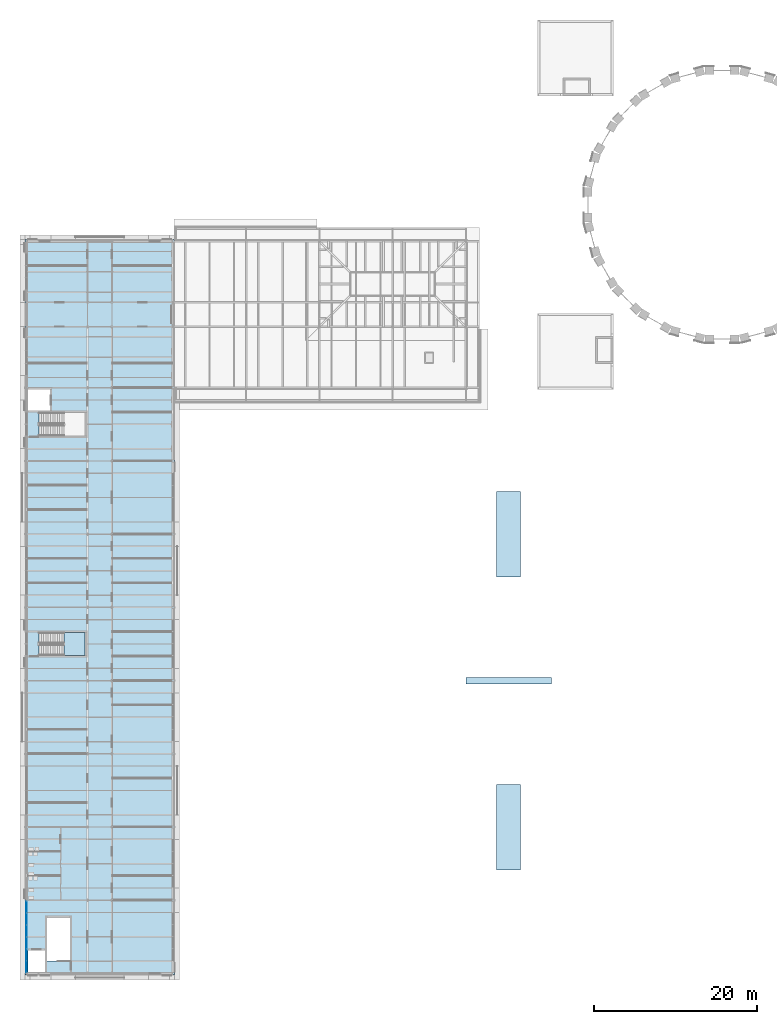
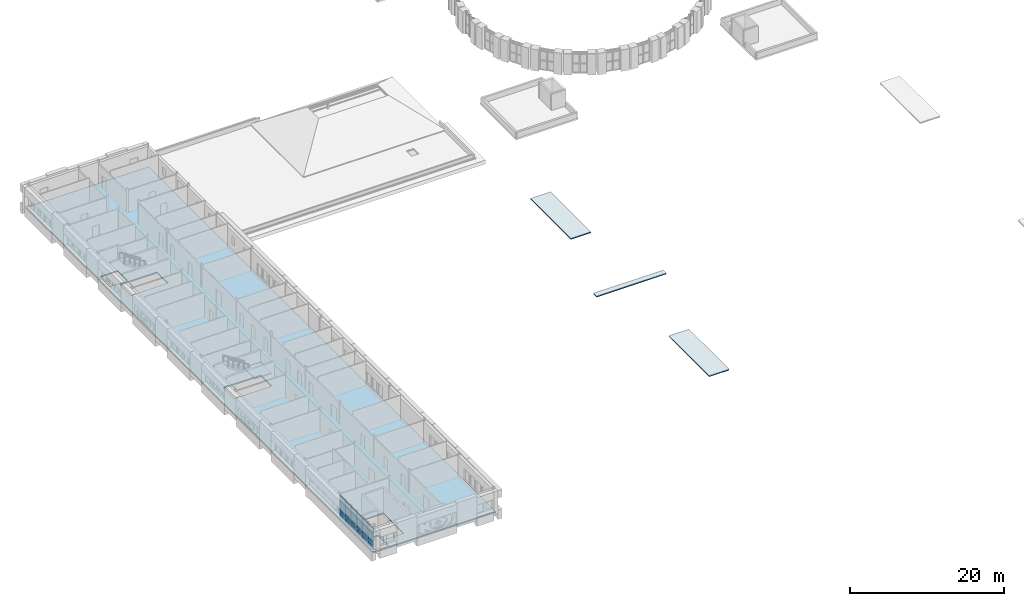
# One storey, part 18 of 42: 18 plates, 5 slabs, 2 elements without a shape of their own.
"""IFC4 building model written with IfcOpenShell, lengths in metres."""

from ifc_helpers import new_model, si_unit, direction, frame, origin, origin_2d, place, context, subcontext, project, spatial, polyline, rectangle, outline, extrude, material, layer, layer_set, type_object, element, aggregate, save


model = new_model("IFC4")

# Units and contexts
model_context = context("Model", 3, precision=1e-05, world=origin(), true_north=direction((0.0, 1.0)))
body_context = subcontext(model_context, "Body", "Model", "MODEL_VIEW")
ifc_project = project(units=[si_unit("LENGTHUNIT", "METRE"), si_unit("AREAUNIT", "SQUARE_METRE"), si_unit("VOLUMEUNIT", "CUBIC_METRE"), si_unit("PLANEANGLEUNIT", "RADIAN"), si_unit("MASSUNIT", "GRAM", prefix="KILO")], contexts=[model_context])

# Site, building, storey
site_placement = place(None, origin())
site = spatial("IfcSite", under=ifc_project, at=site_placement, CompositionType="ELEMENT")
building_placement = place(site_placement, origin())
building = spatial("IfcBuilding", under=site, at=building_placement, Name="Golden Quay Civic Hall", CompositionType="ELEMENT")
storey_placement = place(building_placement, frame((0.0, 0.0, 22.800048828125)))
storey = spatial("IfcBuildingStorey", under=building, at=storey_placement, Name="L05", CompositionType="ELEMENT", Elevation=22.800048828125)

# Slabs
ifc_material_1 = material(Name="Concrete C35/45", Category="concrete")
ifc_layer_1 = layer(ifc_material_1, 0.199951171875)
ifc_layer_set_1 = layer_set([ifc_layer_1], Name="Composite floor 200")
slab_type_1 = type_object("IfcSlabType", Name="Composite floor 200", PredefinedType="FLOOR", material=ifc_layer_set_1)
slab_1_placement = place(storey_placement, frame((0.0, 0.0, -0.199951171875)))
element("IfcSlab", 1, at=slab_1_placement, inside=storey, type_object=slab_type_1, Name="WO floor L05", PredefinedType="FLOOR", context=body_context, shape_type="SweptSolid", body=[
    extrude(outline(polyline([(-0.199951171875, -9.199951171875), (-0.199951171875, 81.199951171875), (18.199951171875, 81.199951171875), (18.199951171875, -9.199951171875), (-0.199951171875, -9.199951171875)]), holes=[polyline([(5.35009765625, -2.14990234375), (2.5, -2.14990234375), (2.5, -7.445068359375), (5.35009765625, -7.445068359375), (5.35009765625, -2.14990234375)]), polyline([(2.25, -8.800048828125), (2.25, -6.199951171875), (0.199951171875, -6.199951171875), (0.199951171875, -8.800048828125), (2.25, -8.800048828125)]), polyline([(1.554931640625, 57.074951171875), (7.175048828125, 57.074951171875), (7.175048828125, 59.925048828125), (1.554931640625, 59.925048828125), (1.554931640625, 57.074951171875)]), polyline([(0.199951171875, 62.77490234375), (0.199951171875, 60.175048828125), (2.89990234375, 60.175048828125), (2.89990234375, 62.77490234375), (0.199951171875, 62.77490234375)]), polyline([(7.175048828125, 32.925048828125), (1.554931640625, 32.925048828125), (1.554931640625, 30.074951171875), (7.175048828125, 30.074951171875), (7.175048828125, 32.925048828125)])]), origin(), (0.0, 0.0, 1.0), 0.199951171875),
])
ifc_material_2 = material(Name="Concrete C35/45", Category="concrete")
ifc_layer_2 = layer(ifc_material_2, 0.14990234375)
ifc_layer_set_2 = layer_set([ifc_layer_2], Name="Concrete roof deck 150, Concrete C35/45")
slab_type_2 = type_object("IfcSlabType", Name="Concrete roof deck 150", PredefinedType="ROOF", material=ifc_layer_set_2)
slab_2_placement = place(storey_placement, frame((0.0, 0.0, -0.297607421875)))
element("IfcSlab", 2, at=slab_2_placement, inside=storey, type_object=slab_type_2, Name="Roof deck WM-S cap", PredefinedType="ROOF", context=body_context, shape_type="SweptSolid", body=[
    extrude(outline(polyline([(57.75, 3.75), (60.75, 3.75), (60.75, 14.25), (57.75, 14.25), (57.75, 3.75)])), origin(), (0.0, 0.0, 1.0), 0.150146484375),
])
slab_3_placement = place(storey_placement, frame((0.0, 0.0, -0.297607421875)))
element("IfcSlab", 3, at=slab_3_placement, inside=storey, type_object=slab_type_2, Name="Roof deck WM-N cap", PredefinedType="ROOF", context=body_context, shape_type="SweptSolid", body=[
    extrude(outline(polyline([(57.75, 39.75), (60.75, 39.75), (60.75, 50.25), (57.75, 50.25), (57.75, 39.75)])), origin(), (0.0, 0.0, 1.0), 0.150146484375),
])
slab_4_placement = place(storey_placement, frame((0.0, 0.0, -0.1943359375)))
element("IfcSlab", 4, at=slab_4_placement, inside=storey, type_object=slab_type_2, Name="Roof deck gable ridge", PredefinedType="ROOF", context=body_context, shape_type="SweptSolid", body=[
    extrude(outline(polyline([(54.0, 26.60009765625), (64.5, 26.60009765625), (64.5, 27.39990234375), (54.0, 27.39990234375), (54.0, 26.60009765625)])), origin(), (0.0, 0.0, 1.0), 0.150146484375),
])

# Stair, slab
ifc_material_3 = material(Name="Concrete C35/45", Category="concrete")
stair_type = type_object("IfcStairType", Name="Concrete stair 1350 wide 24 risers of 175.0", PredefinedType="HALF_TURN_STAIR", material=ifc_material_3)
stair_placement = place(storey_placement, origin())
stair = element("IfcStair", 5, at=stair_placement, inside=storey, type_object=stair_type, Name="L05 Stair WO-M", PredefinedType="HALF_TURN_STAIR")
ifc_material_4 = material(Name="Concrete C35/45", Category="concrete")
ifc_layer_3 = layer(ifc_material_4, 0.199951171875)
ifc_layer_set_3 = layer_set([ifc_layer_3], Name="Concrete stair landing 200, Concrete C35/45")
slab_type_3 = type_object("IfcSlabType", Name="Concrete stair landing 200", PredefinedType="LANDING", material=ifc_layer_set_3)
slab_5_placement = place(storey_placement, frame((0.0, 0.0, 1.89990234375)))
slab_5 = element("IfcSlab", 6, at=slab_5_placement, type_object=slab_type_3, Name="WO-M landing 1", PredefinedType="LANDING", context=body_context, shape_type="SweptSolid", body=[
    extrude(outline(polyline([(4.6298828125, 30.074951171875), (7.175048828125, 30.074951171875), (7.175048828125, 32.925048828125), (4.6298828125, 32.925048828125), (4.6298828125, 30.074951171875)])), origin(), (0.0, 0.0, 1.0), 0.199951171875),
])
aggregate(stair, [slab_5])

# Curtain wall, plates
ifc_material_5 = material(Name="Glass, laminated double glazed", Category="glass")
ifc_layer_4 = layer(ifc_material_5, 0.199951171875)
ifc_layer_set_4 = layer_set([ifc_layer_4], Name="Glazed core strip curtain wall")
curtain_wall_type = type_object("IfcCurtainWallType", Name="Glazed core strip curtain wall", PredefinedType="NOTDEFINED", material=ifc_layer_set_4)
curtain_wall_placement = place(storey_placement, origin())
curtain_wall = element("IfcCurtainWall", 7, at=curtain_wall_placement, inside=storey, type_object=curtain_wall_type, Name="Glazed core strip curtain wall L05 1", PredefinedType="NOTDEFINED")
ifc_material_6 = material(Name="Glass, laminated double glazed", Category="glass")
ifc_layer_5 = layer(ifc_material_6, 0.028076171875)
ifc_layer_set_5 = layer_set([ifc_layer_5], Name="Double glazed curtain wall panel 28")
plate_type = type_object("IfcPlateType", Name="Double glazed curtain wall panel 28", PredefinedType="CURTAIN_PANEL", material=ifc_layer_set_5)
plate_1_placement = place(storey_placement, frame((0.0, -8.15576171875, 0.059814453125), z_axis=(0.0, 0.0, 1.0), x_axis=(0.0, 1.0, 0.0)))
plate_1 = element("IfcPlate", 8, at=plate_1_placement, type_object=plate_type, Name="CW2 panel 1.1", PredefinedType="CURTAIN_PANEL", context=body_context, shape_type="SweptSolid", body=[
    extrude(rectangle(XDim=1.37841796875, YDim=0.028076171875, at=origin_2d()), origin(), (0.0, 0.0, 1.0), 0.81005859375),
])
plate_2_placement = place(storey_placement, frame((0.0, -8.15576171875, 0.93017578125), z_axis=(0.0, 0.0, 1.0), x_axis=(0.0, 1.0, 0.0)))
plate_2 = element("IfcPlate", 9, at=plate_2_placement, type_object=plate_type, Name="CW2 panel 1.2", PredefinedType="CURTAIN_PANEL", context=body_context, shape_type="SweptSolid", body=[
    extrude(rectangle(XDim=1.37841796875, YDim=0.028076171875, at=origin_2d()), origin(), (0.0, 0.0, 1.0), 1.739990234375),
])
plate_3_placement = place(storey_placement, frame((0.0, -8.15576171875, 2.72998046875), z_axis=(0.0, 0.0, 1.0), x_axis=(0.0, 1.0, 0.0)))
plate_3 = element("IfcPlate", 10, at=plate_3_placement, type_object=plate_type, Name="CW2 panel 1.3", PredefinedType="CURTAIN_PANEL", context=body_context, shape_type="SweptSolid", body=[
    extrude(rectangle(XDim=1.37841796875, YDim=0.028076171875, at=origin_2d()), origin(), (0.0, 0.0, 1.0), 0.760009765625),
])
plate_4_placement = place(storey_placement, frame((0.0, -6.702392578125, 0.059814453125), z_axis=(0.0, 0.0, 1.0), x_axis=(0.0, 1.0, 0.0)))
plate_4 = element("IfcPlate", 11, at=plate_4_placement, type_object=plate_type, Name="CW2 panel 2.1", PredefinedType="CURTAIN_PANEL", context=body_context, shape_type="SweptSolid", body=[
    extrude(rectangle(XDim=1.408447265625, YDim=0.028076171875, at=origin_2d()), origin(), (0.0, 0.0, 1.0), 0.81005859375),
])
plate_5_placement = place(storey_placement, frame((0.0, -6.702392578125, 0.93017578125), z_axis=(0.0, 0.0, 1.0), x_axis=(0.0, 1.0, 0.0)))
plate_5 = element("IfcPlate", 12, at=plate_5_placement, type_object=plate_type, Name="CW2 panel 2.2", PredefinedType="CURTAIN_PANEL", context=body_context, shape_type="SweptSolid", body=[
    extrude(rectangle(XDim=1.408447265625, YDim=0.028076171875, at=origin_2d()), origin(), (0.0, 0.0, 1.0), 1.739990234375),
])
plate_6_placement = place(storey_placement, frame((0.0, -6.702392578125, 2.72998046875), z_axis=(0.0, 0.0, 1.0), x_axis=(0.0, 1.0, 0.0)))
plate_6 = element("IfcPlate", 13, at=plate_6_placement, type_object=plate_type, Name="CW2 panel 2.3", PredefinedType="CURTAIN_PANEL", context=body_context, shape_type="SweptSolid", body=[
    extrude(rectangle(XDim=1.408447265625, YDim=0.028076171875, at=origin_2d()), origin(), (0.0, 0.0, 1.0), 0.760009765625),
])
plate_7_placement = place(storey_placement, frame((0.0, -5.234130859375, 0.059814453125), z_axis=(0.0, 0.0, 1.0), x_axis=(0.0, 1.0, 0.0)))
plate_7 = element("IfcPlate", 14, at=plate_7_placement, type_object=plate_type, Name="CW2 panel 3.1", PredefinedType="CURTAIN_PANEL", context=body_context, shape_type="SweptSolid", body=[
    extrude(rectangle(XDim=1.408447265625, YDim=0.028076171875, at=origin_2d()), origin(), (0.0, 0.0, 1.0), 0.81005859375),
])
plate_8_placement = place(storey_placement, frame((0.0, -5.234130859375, 0.93017578125), z_axis=(0.0, 0.0, 1.0), x_axis=(0.0, 1.0, 0.0)))
plate_8 = element("IfcPlate", 15, at=plate_8_placement, type_object=plate_type, Name="CW2 panel 3.2", PredefinedType="CURTAIN_PANEL", context=body_context, shape_type="SweptSolid", body=[
    extrude(rectangle(XDim=1.408447265625, YDim=0.028076171875, at=origin_2d()), origin(), (0.0, 0.0, 1.0), 1.739990234375),
])
plate_9_placement = place(storey_placement, frame((0.0, -5.234130859375, 2.72998046875), z_axis=(0.0, 0.0, 1.0), x_axis=(0.0, 1.0, 0.0)))
plate_9 = element("IfcPlate", 16, at=plate_9_placement, type_object=plate_type, Name="CW2 panel 3.3", PredefinedType="CURTAIN_PANEL", context=body_context, shape_type="SweptSolid", body=[
    extrude(rectangle(XDim=1.408447265625, YDim=0.028076171875, at=origin_2d()), origin(), (0.0, 0.0, 1.0), 0.760009765625),
])
plate_10_placement = place(storey_placement, frame((0.0, -3.765869140625, 0.059814453125), z_axis=(0.0, 0.0, 1.0), x_axis=(0.0, 1.0, 0.0)))
plate_10 = element("IfcPlate", 17, at=plate_10_placement, type_object=plate_type, Name="CW2 panel 4.1", PredefinedType="CURTAIN_PANEL", context=body_context, shape_type="SweptSolid", body=[
    extrude(rectangle(XDim=1.408447265625, YDim=0.028076171875, at=origin_2d()), origin(), (0.0, 0.0, 1.0), 0.81005859375),
])
plate_11_placement = place(storey_placement, frame((0.0, -3.765869140625, 0.93017578125), z_axis=(0.0, 0.0, 1.0), x_axis=(0.0, 1.0, 0.0)))
plate_11 = element("IfcPlate", 18, at=plate_11_placement, type_object=plate_type, Name="CW2 panel 4.2", PredefinedType="CURTAIN_PANEL", context=body_context, shape_type="SweptSolid", body=[
    extrude(rectangle(XDim=1.408447265625, YDim=0.028076171875, at=origin_2d()), origin(), (0.0, 0.0, 1.0), 1.739990234375),
])
plate_12_placement = place(storey_placement, frame((0.0, -3.765869140625, 2.72998046875), z_axis=(0.0, 0.0, 1.0), x_axis=(0.0, 1.0, 0.0)))
plate_12 = element("IfcPlate", 19, at=plate_12_placement, type_object=plate_type, Name="CW2 panel 4.3", PredefinedType="CURTAIN_PANEL", context=body_context, shape_type="SweptSolid", body=[
    extrude(rectangle(XDim=1.408447265625, YDim=0.028076171875, at=origin_2d()), origin(), (0.0, 0.0, 1.0), 0.760009765625),
])
plate_13_placement = place(storey_placement, frame((0.0, -2.297607421875, 0.059814453125), z_axis=(0.0, 0.0, 1.0), x_axis=(0.0, 1.0, 0.0)))
plate_13 = element("IfcPlate", 20, at=plate_13_placement, type_object=plate_type, Name="CW2 panel 5.1", PredefinedType="CURTAIN_PANEL", context=body_context, shape_type="SweptSolid", body=[
    extrude(rectangle(XDim=1.408447265625, YDim=0.028076171875, at=origin_2d()), origin(), (0.0, 0.0, 1.0), 0.81005859375),
])
plate_14_placement = place(storey_placement, frame((0.0, -2.297607421875, 0.93017578125), z_axis=(0.0, 0.0, 1.0), x_axis=(0.0, 1.0, 0.0)))
plate_14 = element("IfcPlate", 21, at=plate_14_placement, type_object=plate_type, Name="CW2 panel 5.2", PredefinedType="CURTAIN_PANEL", context=body_context, shape_type="SweptSolid", body=[
    extrude(rectangle(XDim=1.408447265625, YDim=0.028076171875, at=origin_2d()), origin(), (0.0, 0.0, 1.0), 1.739990234375),
])
plate_15_placement = place(storey_placement, frame((0.0, -2.297607421875, 2.72998046875), z_axis=(0.0, 0.0, 1.0), x_axis=(0.0, 1.0, 0.0)))
plate_15 = element("IfcPlate", 22, at=plate_15_placement, type_object=plate_type, Name="CW2 panel 5.3", PredefinedType="CURTAIN_PANEL", context=body_context, shape_type="SweptSolid", body=[
    extrude(rectangle(XDim=1.408447265625, YDim=0.028076171875, at=origin_2d()), origin(), (0.0, 0.0, 1.0), 0.760009765625),
])
plate_16_placement = place(storey_placement, frame((0.0, -0.84423828125, 0.059814453125), z_axis=(0.0, 0.0, 1.0), x_axis=(0.0, 1.0, 0.0)))
plate_16 = element("IfcPlate", 23, at=plate_16_placement, type_object=plate_type, Name="CW2 panel 6.1", PredefinedType="CURTAIN_PANEL", context=body_context, shape_type="SweptSolid", body=[
    extrude(rectangle(XDim=1.37841796875, YDim=0.028076171875, at=origin_2d()), origin(), (0.0, 0.0, 1.0), 0.81005859375),
])
plate_17_placement = place(storey_placement, frame((0.0, -0.84423828125, 0.93017578125), z_axis=(0.0, 0.0, 1.0), x_axis=(0.0, 1.0, 0.0)))
plate_17 = element("IfcPlate", 24, at=plate_17_placement, type_object=plate_type, Name="CW2 panel 6.2", PredefinedType="CURTAIN_PANEL", context=body_context, shape_type="SweptSolid", body=[
    extrude(rectangle(XDim=1.37841796875, YDim=0.028076171875, at=origin_2d()), origin(), (0.0, 0.0, 1.0), 1.739990234375),
])
plate_18_placement = place(storey_placement, frame((0.0, -0.84423828125, 2.72998046875), z_axis=(0.0, 0.0, 1.0), x_axis=(0.0, 1.0, 0.0)))
plate_18 = element("IfcPlate", 25, at=plate_18_placement, type_object=plate_type, Name="CW2 panel 6.3", PredefinedType="CURTAIN_PANEL", context=body_context, shape_type="SweptSolid", body=[
    extrude(rectangle(XDim=1.37841796875, YDim=0.028076171875, at=origin_2d()), origin(), (0.0, 0.0, 1.0), 0.760009765625),
])
aggregate(curtain_wall, [plate_1, plate_2, plate_3, plate_4, plate_5, plate_6, plate_7, plate_8, plate_9, plate_10, plate_11, plate_12, plate_13, plate_14, plate_15, plate_16, plate_17, plate_18])

save(model, "model.ifc")
